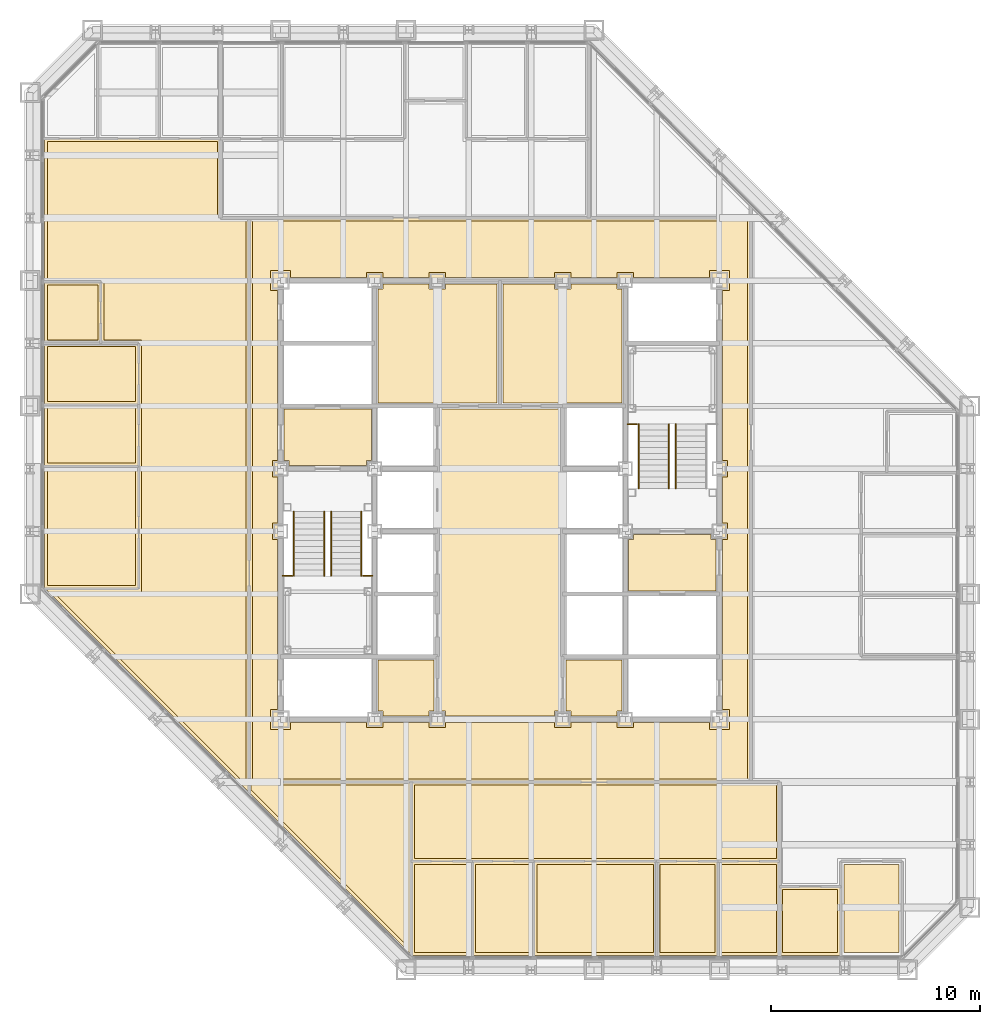
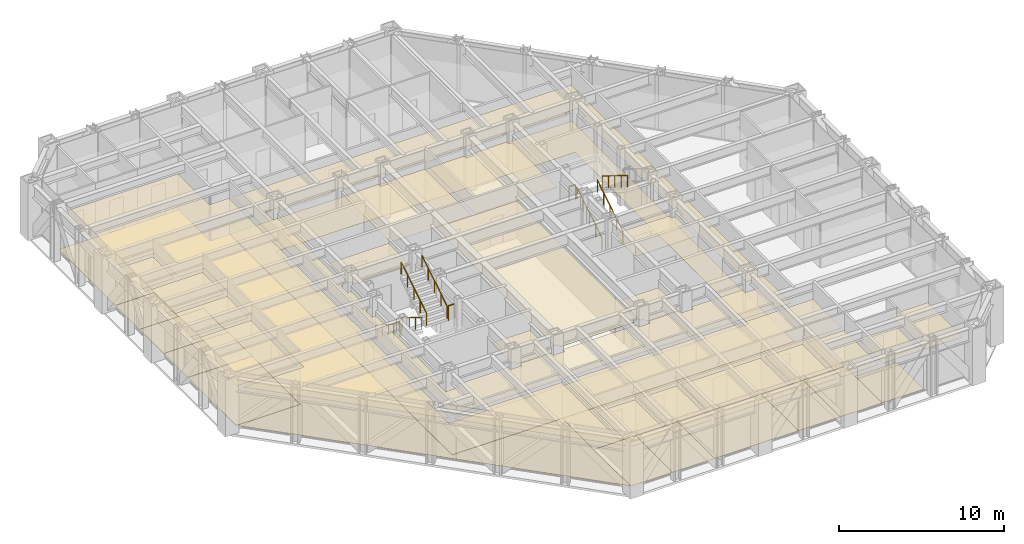
# One storey, part 14 of 16: 35 coverings, 10 railings.
"""IFC4 building model written with IfcOpenShell, lengths in metres."""

from ifc_helpers import new_model, si_unit, direction, frame, origin, origin_2d, place, context, subcontext, project, spatial, polyline, circle, outline, extrude, material, layer, layer_set, type_object, element, save


model = new_model("IFC4")

# Units and contexts
model_context = context("Model", 3, precision=1e-05, world=origin(), true_north=direction((0.0, 1.0)))
body_context = subcontext(model_context, "Body", "Model", "MODEL_VIEW")
ifc_project = project(units=[si_unit("LENGTHUNIT", "METRE"), si_unit("AREAUNIT", "SQUARE_METRE"), si_unit("VOLUMEUNIT", "CUBIC_METRE"), si_unit("PLANEANGLEUNIT", "RADIAN"), si_unit("MASSUNIT", "GRAM", prefix="KILO")], contexts=[model_context])

# Site, building, storey
site_placement = place(None, origin())
site = spatial("IfcSite", under=ifc_project, at=site_placement, CompositionType="ELEMENT")
building_placement = place(site_placement, origin())
building = spatial("IfcBuilding", under=site, at=building_placement, Name="Chuquiago Exchange Tower", CompositionType="ELEMENT")
storey_placement = place(building_placement, frame((0.0, 0.0, 111.0)))
storey = spatial("IfcBuildingStorey", under=building, at=storey_placement, Name="L23", CompositionType="ELEMENT", Elevation=111.0)

# Coverings
ifc_material_1 = material(Name="Mineral fibre tile, 600 x 600, on pale metal grid", Category="mineral fibre")
ifc_layer_1 = layer(ifc_material_1, 0.02001953125)
ifc_layer_set_1 = layer_set([ifc_layer_1], Name="CL1 suspended tile ceiling 20")
covering_type_1 = type_object("IfcCoveringType", Name="CL1 suspended tile ceiling 20", PredefinedType="CEILING", material=ifc_layer_set_1)
covering_1_placement = place(storey_placement, frame((0.0, 0.0, 2.800048828125)))
element("IfcCovering", 1, at=covering_1_placement, inside=storey, type_object=covering_type_1, Name="Ceiling Office", PredefinedType="CEILING", context=body_context, shape_type="SweptSolid", body=[
    extrude(outline(polyline([(18.3984375, 5.050048828125), (21.036376953125, 5.050048828125), (21.036376953125, 0.85009765625), (18.3984375, 0.85009765625), (18.3984375, 5.050048828125)])), origin(), (0.0, 0.0, 1.0), 0.02001953125),
])
covering_2_placement = place(storey_placement, frame((0.0, 0.0, 2.800048828125)))
element("IfcCovering", 2, at=covering_2_placement, inside=storey, type_object=covering_type_1, Name="Ceiling Office", PredefinedType="CEILING", context=body_context, shape_type="SweptSolid", body=[
    extrude(outline(polyline([(21.33642578125, 5.050048828125), (23.974365234375, 5.050048828125), (23.974365234375, 0.85009765625), (21.33642578125, 0.85009765625), (21.33642578125, 5.050048828125)])), origin(), (0.0, 0.0, 1.0), 0.02001953125),
])
covering_3_placement = place(storey_placement, frame((0.0, 0.0, 2.800048828125)))
element("IfcCovering", 3, at=covering_3_placement, inside=storey, type_object=covering_type_1, Name="Ceiling Meeting room", PredefinedType="CEILING", context=body_context, shape_type="SweptSolid", body=[
    extrude(outline(polyline([(24.2744140625, 5.050048828125), (29.85009765625, 5.050048828125), (29.85009765625, 0.85009765625), (24.2744140625, 0.85009765625), (24.2744140625, 5.050048828125)])), origin(), (0.0, 0.0, 1.0), 0.02001953125),
])
covering_4_placement = place(storey_placement, frame((0.0, 0.0, 2.800048828125)))
element("IfcCovering", 4, at=covering_4_placement, inside=storey, type_object=covering_type_1, Name="Ceiling Office", PredefinedType="CEILING", context=body_context, shape_type="SweptSolid", body=[
    extrude(outline(polyline([(30.14990234375, 5.050048828125), (32.787841796875, 5.050048828125), (32.787841796875, 0.85009765625), (30.14990234375, 0.85009765625), (30.14990234375, 5.050048828125)])), origin(), (0.0, 0.0, 1.0), 0.02001953125),
])
covering_5_placement = place(storey_placement, frame((0.0, 0.0, 2.800048828125)))
element("IfcCovering", 5, at=covering_5_placement, inside=storey, type_object=covering_type_1, Name="Ceiling Office", PredefinedType="CEILING", context=body_context, shape_type="SweptSolid", body=[
    extrude(outline(polyline([(33.087890625, 5.050048828125), (35.7255859375, 5.050048828125), (35.7255859375, 0.85009765625), (33.087890625, 0.85009765625), (33.087890625, 5.050048828125)])), origin(), (0.0, 0.0, 1.0), 0.02001953125),
])
covering_6_placement = place(storey_placement, frame((0.0, 0.0, 2.800048828125)))
element("IfcCovering", 6, at=covering_6_placement, inside=storey, type_object=covering_type_1, Name="Ceiling Pantry", PredefinedType="CEILING", context=body_context, shape_type="SweptSolid", body=[
    extrude(outline(polyline([(36.025634765625, 3.85009765625), (38.66357421875, 3.85009765625), (38.66357421875, 0.85009765625), (36.025634765625, 0.85009765625), (36.025634765625, 3.85009765625)])), origin(), (0.0, 0.0, 1.0), 0.02001953125),
])
covering_7_placement = place(storey_placement, frame((0.0, 0.0, 2.800048828125)))
element("IfcCovering", 7, at=covering_7_placement, inside=storey, type_object=covering_type_1, Name="Ceiling Office", PredefinedType="CEILING", context=body_context, shape_type="SweptSolid", body=[
    extrude(outline(polyline([(38.963623046875, 0.85009765625), (38.963623046875, 5.050048828125), (41.6015625, 5.050048828125), (41.6015625, 0.85009765625), (38.963623046875, 0.85009765625)])), origin(), (0.0, 0.0, 1.0), 0.02001953125),
])
covering_8_placement = place(storey_placement, frame((0.0, 0.0, 2.800048828125)))
element("IfcCovering", 8, at=covering_8_placement, inside=storey, type_object=covering_type_1, Name="Ceiling Meeting room", PredefinedType="CEILING", context=body_context, shape_type="SweptSolid", body=[
    extrude(outline(polyline([(0.85009765625, 23.974365234375), (5.050048828125, 23.974365234375), (5.050048828125, 18.3984375), (0.85009765625, 18.3984375), (0.85009765625, 23.974365234375)])), origin(), (0.0, 0.0, 1.0), 0.02001953125),
])
covering_9_placement = place(storey_placement, frame((0.0, 0.0, 2.800048828125)))
element("IfcCovering", 9, at=covering_9_placement, inside=storey, type_object=covering_type_1, Name="Ceiling Office", PredefinedType="CEILING", context=body_context, shape_type="SweptSolid", body=[
    extrude(outline(polyline([(5.050048828125, 26.912109375), (5.050048828125, 24.2744140625), (0.85009765625, 24.2744140625), (0.85009765625, 26.912109375), (5.050048828125, 26.912109375)])), origin(), (0.0, 0.0, 1.0), 0.02001953125),
])
covering_10_placement = place(storey_placement, frame((0.0, 0.0, 2.800048828125)))
element("IfcCovering", 10, at=covering_10_placement, inside=storey, type_object=covering_type_1, Name="Ceiling Office", PredefinedType="CEILING", context=body_context, shape_type="SweptSolid", body=[
    extrude(outline(polyline([(5.050048828125, 29.85009765625), (5.050048828125, 27.212158203125), (0.85009765625, 27.212158203125), (0.85009765625, 29.85009765625), (5.050048828125, 29.85009765625)])), origin(), (0.0, 0.0, 1.0), 0.02001953125),
])
covering_11_placement = place(storey_placement, frame((0.0, 0.0, 2.800048828125)))
element("IfcCovering", 11, at=covering_11_placement, inside=storey, type_object=covering_type_1, Name="Ceiling Focus room", PredefinedType="CEILING", context=body_context, shape_type="SweptSolid", body=[
    extrude(outline(polyline([(3.25, 32.787841796875), (3.25, 30.14990234375), (0.85009765625, 30.14990234375), (0.85009765625, 32.787841796875), (3.25, 32.787841796875)])), origin(), (0.0, 0.0, 1.0), 0.02001953125),
])
covering_12_placement = place(storey_placement, frame((0.0, 0.0, 2.800048828125)))
element("IfcCovering", 12, at=covering_12_placement, inside=storey, type_object=covering_type_1, Name="Ceiling Open office south suite", PredefinedType="CEILING", context=body_context, shape_type="SweptSolid", body=[
    extrude(outline(polyline([(18.39892578125, 5.35009765625), (18.39892578125, 8.849609375), (35.72509765625, 8.849609375), (35.72509765625, 5.35009765625), (18.39892578125, 5.35009765625)])), origin(), (0.0, 0.0, 1.0), 0.02001953125),
])
covering_13_placement = place(storey_placement, frame((0.0, 0.0, 2.800048828125)))
element("IfcCovering", 13, at=covering_13_placement, inside=storey, type_object=covering_type_1, Name="Ceiling Open office west suite", PredefinedType="CEILING", context=body_context, shape_type="SweptSolid", body=[
    extrude(outline(polyline([(8.973876953125, 39.64990234375), (8.973876953125, 35.849853515625), (10.349609375, 35.849609375), (10.349609375, 9.0849609375), (10.116943359375, 9.0849609375), (1.103515625, 18.098388671875), (5.35009765625, 18.098388671875), (5.35009765625, 30.14990234375), (3.550048828125, 30.14990234375), (3.550048828125, 33.087890625), (0.85009765625, 33.087890625), (0.85009765625, 39.64990234375), (8.973876953125, 39.64990234375)])), origin(), (0.0, 0.0, 1.0), 0.02001953125),
])
covering_14_placement = place(storey_placement, frame((0.0, 0.0, 2.800048828125)))
element("IfcCovering", 14, at=covering_14_placement, inside=storey, type_object=covering_type_1, Name="Ceiling Open office west suite", PredefinedType="CEILING", context=body_context, shape_type="SweptSolid", body=[
    extrude(outline(polyline([(18.097900390625, 8.849609375), (18.097900390625, 1.10400390625), (10.5849609375, 8.616943359375), (10.5849609375, 8.849853515625), (18.097900390625, 8.849609375)])), origin(), (0.0, 0.0, 1.0), 0.02001953125),
])
covering_15_placement = place(storey_placement, frame((0.0, 0.0, 2.800048828125)))
element("IfcCovering", 15, at=covering_15_placement, inside=storey, type_object=covering_type_1, Name="Ceiling Tenant corridor", PredefinedType="CEILING", context=body_context, shape_type="SweptSolid", body=[
    extrude(outline(polyline([(10.64990234375, 35.85009765625), (34.35009765625, 35.85009765625), (34.35009765625, 9.14990234375), (10.64990234375, 9.14990234375), (10.64990234375, 35.85009765625)]), holes=[polyline([(11.85009765625, 24.39990234375), (11.60009765625, 24.39990234375), (11.60009765625, 23.60009765625), (11.85009765625, 23.60009765625), (11.85009765625, 21.39990234375), (11.60009765625, 21.39990234375), (11.60009765625, 20.60009765625), (11.85009765625, 20.60009765625), (11.85009765625, 12.47509765625), (11.52490234375, 12.47509765625), (11.52490234375, 11.52490234375), (12.47509765625, 11.52490234375), (12.47509765625, 11.85009765625), (16.10009765625, 11.85009765625), (16.10009765625, 11.60009765625), (16.89990234375, 11.60009765625), (16.89990234375, 11.85009765625), (19.10009765625, 11.85009765625), (19.10009765625, 11.60009765625), (19.89990234375, 11.60009765625), (19.89990234375, 11.85009765625), (25.10009765625, 11.85009765625), (25.10009765625, 11.60009765625), (25.89990234375, 11.60009765625), (25.89990234375, 11.85009765625), (28.10009765625, 11.85009765625), (28.10009765625, 11.60009765625), (28.89990234375, 11.60009765625), (28.89990234375, 11.85009765625), (32.52490234375, 11.85009765625), (32.52490234375, 11.52490234375), (33.47509765625, 11.52490234375), (33.47509765625, 12.47509765625), (33.14990234375, 12.47509765625), (33.14990234375, 20.60009765625), (33.39990234375, 20.60009765625), (33.39990234375, 21.39990234375), (33.14990234375, 21.39990234375), (33.14990234375, 23.60009765625), (33.39990234375, 23.60009765625), (33.39990234375, 24.39990234375), (33.14990234375, 24.39990234375), (33.14990234375, 32.52490234375), (33.47509765625, 32.52490234375), (33.47509765625, 33.47509765625), (32.52490234375, 33.47509765625), (32.52490234375, 33.14990234375), (28.89990234375, 33.14990234375), (28.89990234375, 33.39990234375), (28.10009765625, 33.39990234375), (28.10009765625, 33.14990234375), (25.89990234375, 33.14990234375), (25.89990234375, 33.39990234375), (25.10009765625, 33.39990234375), (25.10009765625, 33.14990234375), (19.89990234375, 33.14990234375), (19.89990234375, 33.39990234375), (19.10009765625, 33.39990234375), (19.10009765625, 33.14990234375), (16.89990234375, 33.14990234375), (16.89990234375, 33.39990234375), (16.10009765625, 33.39990234375), (16.10009765625, 33.14990234375), (12.47509765625, 33.14990234375), (12.47509765625, 33.47509765625), (11.52490234375, 33.47509765625), (11.52490234375, 32.52490234375), (11.85009765625, 32.52490234375), (11.85009765625, 24.39990234375)])]), origin(), (0.0, 0.0, 1.0), 0.02001953125),
])
ifc_material_2 = material(Name="Moisture resistant plasterboard on metal frame", Category="gypsum")
ifc_layer_2 = layer(ifc_material_2, 0.014892578125)
ifc_layer_set_2 = layer_set([ifc_layer_2], Name="CL2 moisture resistant ceiling 15")
covering_type_2 = type_object("IfcCoveringType", Name="CL2 moisture resistant ceiling 15", PredefinedType="CEILING", material=ifc_layer_set_2)
covering_16_placement = place(storey_placement, frame((0.0, 0.0, 2.60009765625)))
element("IfcCovering", 16, at=covering_16_placement, inside=storey, type_object=covering_type_2, Name="Ceiling Male WC", PredefinedType="CEILING", context=body_context, shape_type="SweptSolid", body=[
    extrude(outline(polyline([(16.64990234375, 27.14990234375), (16.64990234375, 32.60009765625), (16.89990234375, 32.60009765625), (16.89990234375, 32.85009765625), (19.10009765625, 32.85009765625), (19.10009765625, 32.60009765625), (19.89990234375, 32.60009765625), (19.89990234375, 32.85009765625), (22.35009765625, 32.85009765625), (22.35009765625, 27.14990234375), (16.64990234375, 27.14990234375)])), origin(), (0.0, 0.0, 1.0), 0.014892578125),
])
covering_17_placement = place(storey_placement, frame((0.0, 0.0, 2.60009765625)))
element("IfcCovering", 17, at=covering_17_placement, inside=storey, type_object=covering_type_2, Name="Ceiling Female WC", PredefinedType="CEILING", context=body_context, shape_type="SweptSolid", body=[
    extrude(outline(polyline([(22.64990234375, 27.14990234375), (22.64990234375, 32.85009765625), (25.10009765625, 32.85009765625), (25.10009765625, 32.60009765625), (25.89990234375, 32.60009765625), (25.89990234375, 32.85009765625), (28.10009765625, 32.85009765625), (28.10009765625, 32.60009765625), (28.35009765625, 32.60009765625), (28.35009765625, 27.14990234375), (22.64990234375, 27.14990234375)])), origin(), (0.0, 0.0, 1.0), 0.014892578125),
])
covering_18_placement = place(storey_placement, frame((0.0, 0.0, 2.60009765625)))
element("IfcCovering", 18, at=covering_18_placement, inside=storey, type_object=covering_type_2, Name="Ceiling Accessible WC", PredefinedType="CEILING", context=body_context, shape_type="SweptSolid", body=[
    extrude(outline(polyline([(25.89990234375, 12.14990234375), (25.89990234375, 12.39990234375), (25.64990234375, 12.39990234375), (25.64990234375, 14.85009765625), (28.35009765625, 14.85009765625), (28.35009765625, 12.39990234375), (28.10009765625, 12.39990234375), (28.10009765625, 12.14990234375), (25.89990234375, 12.14990234375)])), origin(), (0.0, 0.0, 1.0), 0.014892578125),
])
covering_19_placement = place(storey_placement, frame((0.0, 0.0, 2.60009765625)))
element("IfcCovering", 19, at=covering_19_placement, inside=storey, type_object=covering_type_2, Name="Ceiling Cleaner", PredefinedType="CEILING", context=body_context, shape_type="SweptSolid", body=[
    extrude(outline(polyline([(16.89990234375, 12.14990234375), (16.89990234375, 12.39990234375), (16.64990234375, 12.39990234375), (16.64990234375, 14.85009765625), (19.35009765625, 14.85009765625), (19.35009765625, 12.39990234375), (19.10009765625, 12.39990234375), (19.10009765625, 12.14990234375), (16.89990234375, 12.14990234375)])), origin(), (0.0, 0.0, 1.0), 0.014892578125),
])
ifc_material_3 = material(Name="Pale metal plank ceiling, perforated", Category="aluminium")
ifc_layer_3 = layer(ifc_material_3, 0.030029296875)
ifc_layer_set_3 = layer_set([ifc_layer_3], Name="CL3 metal plank ceiling 30")
covering_type_3 = type_object("IfcCoveringType", Name="CL3 metal plank ceiling 30", PredefinedType="CEILING", material=ifc_layer_set_3)
covering_20_placement = place(storey_placement, frame((0.0, 0.0, 2.800048828125)))
element("IfcCovering", 20, at=covering_20_placement, inside=storey, type_object=covering_type_3, Name="Ceiling Lift lobby", PredefinedType="CEILING", context=body_context, shape_type="SweptSolid", body=[
    extrude(outline(polyline([(19.89990234375, 12.14990234375), (19.89990234375, 12.39990234375), (19.64990234375, 12.39990234375), (19.64990234375, 26.85009765625), (25.35009765625, 26.85009765625), (25.35009765625, 12.39990234375), (25.10009765625, 12.39990234375), (25.10009765625, 12.14990234375), (19.89990234375, 12.14990234375)])), origin(), (0.0, 0.0, 1.0), 0.030029296875),
])
covering_21_placement = place(storey_placement, frame((0.0, 0.0, 2.800048828125)))
element("IfcCovering", 21, at=covering_21_placement, inside=storey, type_object=covering_type_3, Name="Ceiling Firefighting lobby", PredefinedType="CEILING", context=body_context, shape_type="SweptSolid", body=[
    extrude(outline(polyline([(12.39990234375, 24.14990234375), (12.39990234375, 24.39990234375), (12.14990234375, 24.39990234375), (12.14990234375, 26.85009765625), (16.35009765625, 26.85009765625), (16.35009765625, 24.39990234375), (16.10009765625, 24.39990234375), (16.10009765625, 24.14990234375), (12.39990234375, 24.14990234375)])), origin(), (0.0, 0.0, 1.0), 0.030029296875),
])
covering_22_placement = place(storey_placement, frame((0.0, 0.0, 2.800048828125)))
element("IfcCovering", 22, at=covering_22_placement, inside=storey, type_object=covering_type_3, Name="Ceiling Firefighting lobby", PredefinedType="CEILING", context=body_context, shape_type="SweptSolid", body=[
    extrude(outline(polyline([(28.64990234375, 18.14990234375), (28.64990234375, 20.60009765625), (28.89990234375, 20.60009765625), (28.89990234375, 20.85009765625), (32.60009765625, 20.85009765625), (32.60009765625, 20.60009765625), (32.85009765625, 20.60009765625), (32.85009765625, 18.14990234375), (28.64990234375, 18.14990234375)])), origin(), (0.0, 0.0, 1.0), 0.030029296875),
])
ifc_material_4 = material(Name="Carpet tile, 500 x 500, on the floor slab", Category="textile")
ifc_layer_4 = layer(ifc_material_4, 0.010009765625)
ifc_layer_set_4 = layer_set([ifc_layer_4], Name="FL1 carpet tile 10")
covering_type_4 = type_object("IfcCoveringType", Name="FL1 carpet tile 10", PredefinedType="FLOORING", material=ifc_layer_set_4)
covering_23_placement = place(storey_placement, origin())
element("IfcCovering", 23, at=covering_23_placement, inside=storey, type_object=covering_type_4, Name="Floor finish Office", PredefinedType="FLOORING", context=body_context, shape_type="SweptSolid", body=[
    extrude(outline(polyline([(18.289794921875, 0.699951171875), (18.24853515625, 0.741455078125), (18.24853515625, 5.199951171875), (21.186279296875, 5.199951171875), (21.186279296875, 0.699951171875), (18.289794921875, 0.699951171875)])), origin(), (0.0, 0.0, 1.0), 0.010009765625),
])
covering_24_placement = place(storey_placement, origin())
element("IfcCovering", 24, at=covering_24_placement, inside=storey, type_object=covering_type_4, Name="Floor finish Office", PredefinedType="FLOORING", context=body_context, shape_type="SweptSolid", body=[
    extrude(outline(polyline([(21.186279296875, 0.699951171875), (21.186279296875, 5.199951171875), (24.124267578125, 5.199951171875), (24.124267578125, 0.699951171875), (21.186279296875, 0.699951171875)])), origin(), (0.0, 0.0, 1.0), 0.010009765625),
])
covering_25_placement = place(storey_placement, origin())
element("IfcCovering", 25, at=covering_25_placement, inside=storey, type_object=covering_type_4, Name="Floor finish Meeting room", PredefinedType="FLOORING", context=body_context, shape_type="SweptSolid", body=[
    extrude(outline(polyline([(24.124267578125, 0.699951171875), (24.124267578125, 5.199951171875), (30.0, 5.199951171875), (30.0, 0.699951171875), (24.124267578125, 0.699951171875)])), origin(), (0.0, 0.0, 1.0), 0.010009765625),
])
covering_26_placement = place(storey_placement, origin())
element("IfcCovering", 26, at=covering_26_placement, inside=storey, type_object=covering_type_4, Name="Floor finish Office", PredefinedType="FLOORING", context=body_context, shape_type="SweptSolid", body=[
    extrude(outline(polyline([(30.0, 0.699951171875), (30.0, 5.199951171875), (32.93798828125, 5.199951171875), (32.93798828125, 0.699951171875), (30.0, 0.699951171875)])), origin(), (0.0, 0.0, 1.0), 0.010009765625),
])
covering_27_placement = place(storey_placement, origin())
element("IfcCovering", 27, at=covering_27_placement, inside=storey, type_object=covering_type_4, Name="Floor finish Office", PredefinedType="FLOORING", context=body_context, shape_type="SweptSolid", body=[
    extrude(outline(polyline([(32.93798828125, 0.699951171875), (32.93798828125, 5.199951171875), (35.875732421875, 5.199951171875), (35.875732421875, 0.699951171875), (32.93798828125, 0.699951171875)])), origin(), (0.0, 0.0, 1.0), 0.010009765625),
])
covering_28_placement = place(storey_placement, origin())
element("IfcCovering", 28, at=covering_28_placement, inside=storey, type_object=covering_type_4, Name="Floor finish Meeting room", PredefinedType="FLOORING", context=body_context, shape_type="SweptSolid", body=[
    extrude(outline(polyline([(0.699951171875, 24.124267578125), (5.199951171875, 24.124267578125), (5.199951171875, 18.24853515625), (0.741455078125, 18.24853515625), (0.699951171875, 18.289794921875), (0.699951171875, 24.124267578125)])), origin(), (0.0, 0.0, 1.0), 0.010009765625),
])
covering_29_placement = place(storey_placement, origin())
element("IfcCovering", 29, at=covering_29_placement, inside=storey, type_object=covering_type_4, Name="Floor finish Office", PredefinedType="FLOORING", context=body_context, shape_type="SweptSolid", body=[
    extrude(outline(polyline([(0.699951171875, 27.06201171875), (5.199951171875, 27.06201171875), (5.199951171875, 24.124267578125), (0.699951171875, 24.124267578125), (0.699951171875, 27.06201171875)])), origin(), (0.0, 0.0, 1.0), 0.010009765625),
])
covering_30_placement = place(storey_placement, origin())
element("IfcCovering", 30, at=covering_30_placement, inside=storey, type_object=covering_type_4, Name="Floor finish Office", PredefinedType="FLOORING", context=body_context, shape_type="SweptSolid", body=[
    extrude(outline(polyline([(0.699951171875, 30.0), (5.199951171875, 30.0), (5.199951171875, 27.06201171875), (0.699951171875, 27.06201171875), (0.699951171875, 30.0)])), origin(), (0.0, 0.0, 1.0), 0.010009765625),
])
covering_31_placement = place(storey_placement, origin())
element("IfcCovering", 31, at=covering_31_placement, inside=storey, type_object=covering_type_4, Name="Floor finish Focus room", PredefinedType="FLOORING", context=body_context, shape_type="SweptSolid", body=[
    extrude(outline(polyline([(0.699951171875, 32.93798828125), (3.39990234375, 32.93798828125), (3.39990234375, 30.0), (0.699951171875, 30.0), (0.699951171875, 32.93798828125)])), origin(), (0.0, 0.0, 1.0), 0.010009765625),
])
covering_32_placement = place(storey_placement, origin())
element("IfcCovering", 32, at=covering_32_placement, inside=storey, type_object=covering_type_4, Name="Floor finish Open office south suite", PredefinedType="FLOORING", context=body_context, shape_type="SweptSolid", body=[
    extrude(outline(polyline([(35.875244140625, 5.199951171875), (18.2490234375, 5.199951171875), (18.2490234375, 8.99951171875), (35.875244140625, 8.99951171875), (35.875244140625, 5.199951171875)])), origin(), (0.0, 0.0, 1.0), 0.010009765625),
])
covering_33_placement = place(storey_placement, origin())
element("IfcCovering", 33, at=covering_33_placement, inside=storey, type_object=covering_type_4, Name="Floor finish Open office west suite", PredefinedType="FLOORING", context=body_context, shape_type="SweptSolid", body=[
    extrude(outline(polyline([(0.699951171875, 39.800048828125), (9.123779296875, 39.800048828125), (9.123779296875, 35.999755859375), (10.49951171875, 35.99951171875), (10.49951171875, 9.0), (18.248046875, 8.99951171875), (18.248046875, 0.741943359375), (0.741455078125, 18.24853515625), (5.199951171875, 18.24853515625), (5.199951171875, 30.0), (3.39990234375, 30.0), (3.39990234375, 32.93798828125), (0.699951171875, 32.93798828125), (0.699951171875, 39.800048828125)])), origin(), (0.0, 0.0, 1.0), 0.010009765625),
])
ifc_material_5 = material(Name="Porcelain floor tile, 600 x 600, on adhesive bed", Category="ceramic")
ifc_layer_5 = layer(ifc_material_5, 0.014892578125)
ifc_layer_set_5 = layer_set([ifc_layer_5], Name="FL2 porcelain tile 15")
covering_type_5 = type_object("IfcCoveringType", Name="FL2 porcelain tile 15", PredefinedType="FLOORING", material=ifc_layer_set_5)
covering_34_placement = place(storey_placement, origin())
element("IfcCovering", 34, at=covering_34_placement, inside=storey, type_object=covering_type_5, Name="Floor finish Pantry", PredefinedType="FLOORING", context=body_context, shape_type="SweptSolid", body=[
    extrude(outline(polyline([(35.875732421875, 0.699951171875), (35.875732421875, 4.0), (38.813720703125, 4.0), (38.813720703125, 0.699951171875), (35.875732421875, 0.699951171875)])), origin(), (0.0, 0.0, 1.0), 0.014892578125),
])
covering_35_placement = place(storey_placement, origin())
element("IfcCovering", 35, at=covering_35_placement, inside=storey, type_object=covering_type_5, Name="Floor finish Tenant corridor", PredefinedType="FLOORING", context=body_context, shape_type="SweptSolid", body=[
    extrude(outline(polyline([(10.5, 9.0), (10.5, 36.0), (34.5, 36.0), (34.5, 9.0), (10.5, 9.0)]), holes=[polyline([(12.0, 33.0), (12.0, 12.0), (33.0, 12.0), (33.0, 33.0), (12.0, 33.0)])]), origin(), (0.0, 0.0, 1.0), 0.014892578125),
])

# Railings
ifc_material_6 = material(Name="Pale metal guard with safety glass infill", Category="glass")
railing_type_1 = type_object("IfcRailingType", Name="GR1 guard 1100", PredefinedType="GUARDRAIL", material=ifc_material_6)
for number, where, name in (
    (36, (12.10009765625, 18.8701171875, 2.10009765625), "Guard ST1 L23 landing 2"),
    (37, (15.945068359375, 18.8701171875, 2.10009765625), "Guard ST1 L23 landing 2"),
    (38, (28.60009765625, 26.1298828125, 2.10009765625), "Guard ST2 L23 landing 2"),
):
    element("IfcRailing", number, at=place(storey_placement, frame(where)), inside=storey, type_object=railing_type_1, Name=name, PredefinedType="GUARDRAIL", context=body_context, shape_type="SweptSolid", body=[
        extrude(circle(Radius=0.02392578125, at=origin_2d()), frame((0.0, 0.0, 1.076171875), z_axis=(1.0, 0.0, 0.0), x_axis=(0.0, 1.0, 0.0)), (0.0, 0.0, 1.0), 0.454833984375),
        extrude(circle(Radius=0.02099609375, at=origin_2d()), origin(), (0.0, 0.0, 1.0), 1.052001953125),
        extrude(circle(Radius=0.02099609375, at=origin_2d()), frame((0.454833984375, 0.0, 0.0)), (0.0, 0.0, 1.0), 1.052001953125),
    ])
ifc_material_7 = material(Name="Pale metal handrail", Category="steel")
railing_type_2 = type_object("IfcRailingType", Name="HR1 handrail 900", PredefinedType="HANDRAIL", material=ifc_material_7)
for number, where, name in (
    (39, (12.635009765625, 21.949951171875, 0.175048828125), "Handrail ST1 L23 flight 1"),
    (40, (14.0849609375, 21.949951171875, 0.175048828125), "Handrail ST1 L23 flight 1"),
):
    element("IfcRailing", number, at=place(storey_placement, frame(where)), inside=storey, type_object=railing_type_2, Name=name, PredefinedType="HANDRAIL", context=body_context, shape_type="SweptSolid", body=[
        extrude(circle(Radius=0.02392578125, at=origin_2d()), frame((0.0, 0.0, 0.8759765625), z_axis=(0.0, -0.847979421464, 0.530029150871), x_axis=(1.0, 0.0, 0.0)), (0.0, 0.0, 1.0), 3.632080078125),
        extrude(circle(Radius=0.02099609375, at=origin_2d()), origin(), (0.0, 0.0, 1.0), 0.851806640625),
        extrude(circle(Radius=0.02099609375, at=origin_2d()), frame((0.0, -0.77001953125, 0.481201171875)), (0.0, 0.0, 1.0), 0.851806640625),
        extrude(circle(Radius=0.02099609375, at=origin_2d()), frame((0.0, -1.5400390625, 0.96240234375)), (0.0, 0.0, 1.0), 0.851806640625),
        extrude(circle(Radius=0.02099609375, at=origin_2d()), frame((0.0, -2.309814453125, 1.44384765625)), (0.0, 0.0, 1.0), 0.851806640625),
        extrude(circle(Radius=0.02099609375, at=origin_2d()), frame((0.0, -3.079833984375, 1.925048828125)), (0.0, 0.0, 1.0), 0.851806640625),
    ])
for number, where, name in (
    (41, (15.864990234375, 18.8701171875, 2.27490234375), "Handrail ST1 L23 flight 2"),
    (42, (14.4150390625, 18.8701171875, 2.27490234375), "Handrail ST1 L23 flight 2"),
    (43, (30.5849609375, 23.050048828125, 0.175048828125), "Handrail ST2 L23 flight 1"),
    (44, (29.135009765625, 23.050048828125, 0.175048828125), "Handrail ST2 L23 flight 1"),
):
    element("IfcRailing", number, at=place(storey_placement, frame(where)), inside=storey, type_object=railing_type_2, Name=name, PredefinedType="HANDRAIL", context=body_context, shape_type="SweptSolid", body=[
        extrude(circle(Radius=0.02392578125, at=origin_2d()), frame((0.0, 0.0, 0.8759765625), z_axis=(0.0, 0.847979421464, 0.530029150871), x_axis=(-1.0, 0.0, 0.0)), (0.0, 0.0, 1.0), 3.632080078125),
        extrude(circle(Radius=0.02099609375, at=origin_2d()), origin(), (0.0, 0.0, 1.0), 0.851806640625),
        extrude(circle(Radius=0.02099609375, at=origin_2d()), frame((0.0, 0.77001953125, 0.481201171875)), (0.0, 0.0, 1.0), 0.851806640625),
        extrude(circle(Radius=0.02099609375, at=origin_2d()), frame((0.0, 1.5400390625, 0.96240234375)), (0.0, 0.0, 1.0), 0.851806640625),
        extrude(circle(Radius=0.02099609375, at=origin_2d()), frame((0.0, 2.309814453125, 1.44384765625)), (0.0, 0.0, 1.0), 0.851806640625),
        extrude(circle(Radius=0.02099609375, at=origin_2d()), frame((0.0, 3.079833984375, 1.925048828125)), (0.0, 0.0, 1.0), 0.851806640625),
    ])
railing_placement = place(storey_placement, frame((30.9150390625, 26.1298828125, 2.27490234375)))
element("IfcRailing", 45, at=railing_placement, inside=storey, type_object=railing_type_2, Name="Handrail ST2 L23 flight 2", PredefinedType="HANDRAIL", context=body_context, shape_type="SweptSolid", body=[
    extrude(circle(Radius=0.02392578125, at=origin_2d()), frame((0.0, 0.0, 0.8759765625), z_axis=(0.0, -0.847979421464, 0.530029150871), x_axis=(1.0, 0.0, 0.0)), (0.0, 0.0, 1.0), 3.632080078125),
    extrude(circle(Radius=0.02099609375, at=origin_2d()), origin(), (0.0, 0.0, 1.0), 0.851806640625),
    extrude(circle(Radius=0.02099609375, at=origin_2d()), frame((0.0, -0.77001953125, 0.481201171875)), (0.0, 0.0, 1.0), 0.851806640625),
    extrude(circle(Radius=0.02099609375, at=origin_2d()), frame((0.0, -1.5400390625, 0.96240234375)), (0.0, 0.0, 1.0), 0.851806640625),
    extrude(circle(Radius=0.02099609375, at=origin_2d()), frame((0.0, -2.309814453125, 1.44384765625)), (0.0, 0.0, 1.0), 0.851806640625),
    extrude(circle(Radius=0.02099609375, at=origin_2d()), frame((0.0, -3.079833984375, 1.925048828125)), (0.0, 0.0, 1.0), 0.851806640625),
])

save(model, "model.ifc")
